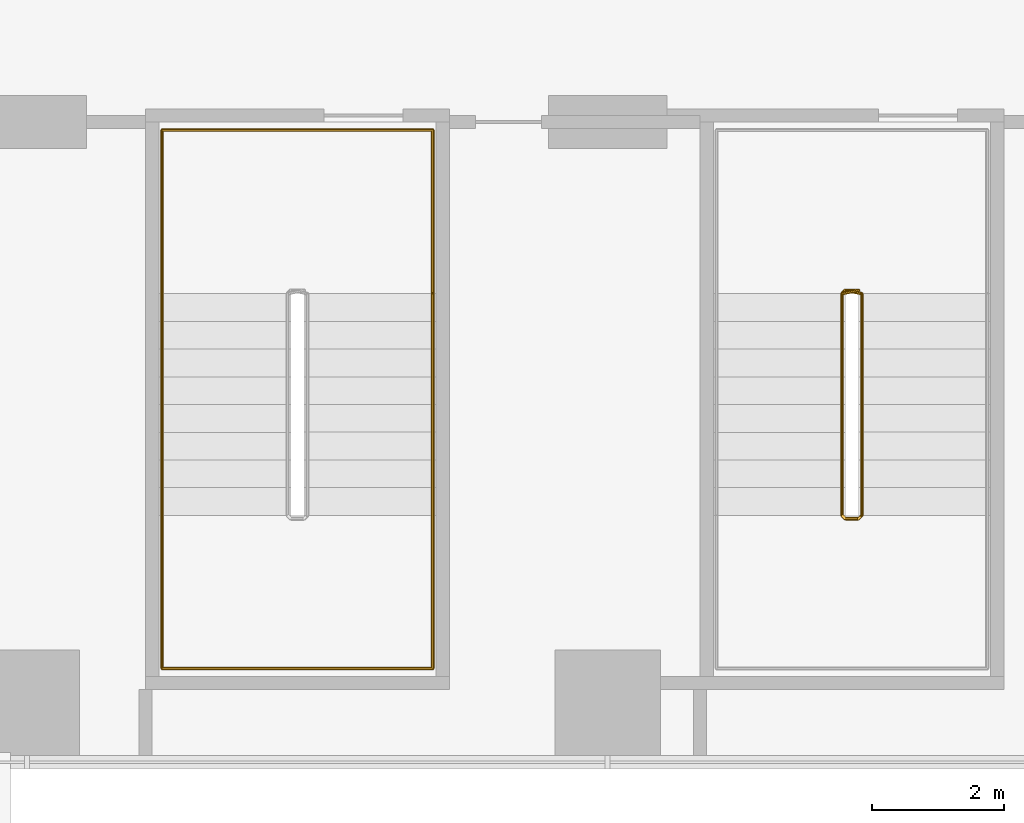
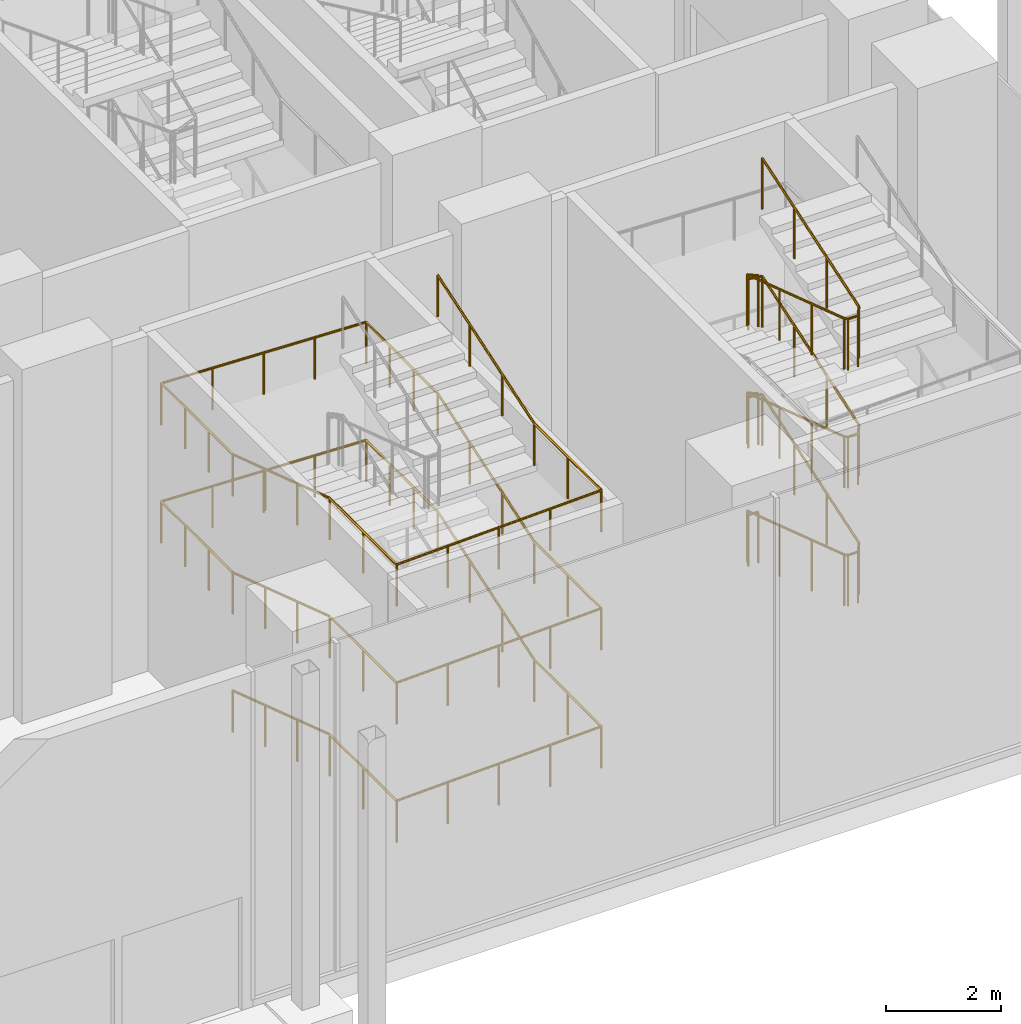
# One storey, part 37 of 41: 2 railings.
"""IFC4 building model written with IfcOpenShell, lengths in metres."""

from ifc_helpers import new_model, si_unit, direction, frame, origin, origin_2d, place, context, subcontext, project, spatial, circle, extrude, material, type_object, element, save


model = new_model("IFC4")

# Units and contexts
model_context = context("Model", 3, precision=1e-05, world=origin(), true_north=direction((0.0, 1.0)))
body_context = subcontext(model_context, "Body", "Model", "MODEL_VIEW")
ifc_project = project(units=[si_unit("LENGTHUNIT", "METRE"), si_unit("AREAUNIT", "SQUARE_METRE"), si_unit("VOLUMEUNIT", "CUBIC_METRE"), si_unit("PLANEANGLEUNIT", "RADIAN"), si_unit("MASSUNIT", "GRAM", prefix="KILO")], contexts=[model_context])

# Site, building, storey
site_placement = place(None, origin())
site = spatial("IfcSite", under=ifc_project, at=site_placement, CompositionType="ELEMENT")
building_placement = place(site_placement, origin())
building = spatial("IfcBuilding", under=site, at=building_placement, Name="Kemantara Hotel Tower", CompositionType="ELEMENT")
storey_placement = place(building_placement, origin())
storey = spatial("IfcBuildingStorey", under=building, at=storey_placement, Name="L00", CompositionType="ELEMENT", Elevation=0.0)

# Railings
ifc_material = material(Name="Stainless steel balustrade", Category="steel")
railing_type_1 = type_object("IfcRailingType", Name="Stair guard 1100 mm", PredefinedType="GUARDRAIL", material=ifc_material)
railing_1_placement = place(storey_placement, frame((75.25, 7.199951171875, 7.5)))
element("IfcRailing", 1, at=railing_1_placement, inside=storey, type_object=railing_type_1, Name="L00 PS5 stair guard 1", PredefinedType="GUARDRAIL", context=body_context, shape_type="SweptSolid", body=[
    extrude(circle(Radius=0.02392578125, at=origin_2d()), frame((0.0, 0.0, 1.076171875), z_axis=(0.0, -0.949432600572, -0.313970917396), x_axis=(1.0, 0.0, 0.0)), (0.0, 0.0, 1.0), 3.538818359375),
    extrude(circle(Radius=0.02392578125, at=origin_2d()), frame((0.0, -3.35986328125, -0.03515625), z_axis=(-0.321014310373, -0.321014310373, -0.891010451718), x_axis=(0.707106781187, -0.707106781187, 0.0)), (0.0, 0.0, 1.0), 0.156005859375),
    extrude(circle(Radius=0.02392578125, at=origin_2d()), frame((-0.050048828125, -3.409912109375, -0.173828125), z_axis=(-1.0, 0.0, 0.0), x_axis=(0.0, -1.0, 0.0)), (0.0, 0.0, 1.0), 0.199951171875),
    extrude(circle(Radius=0.02392578125, at=origin_2d()), frame((-0.25, -3.409912109375, -0.173828125), z_axis=(-0.707106781187, 0.707106781187, 0.0), x_axis=(-0.707106781187, -0.707106781187, 0.0)), (0.0, 0.0, 1.0), 0.07080078125),
    extrude(circle(Radius=0.02392578125, at=origin_2d()), frame((-0.300048828125, -3.35986328125, -0.173828125), z_axis=(0.0, 0.949432600572, -0.313970917396), x_axis=(-1.0, 0.0, 0.0)), (0.0, 0.0, 1.0), 3.538818359375),
    extrude(circle(Radius=0.02392578125, at=origin_2d()), frame((-0.300048828125, 0.0, -1.28515625), z_axis=(0.861032742868, 0.172374719031, -0.478444951847), x_axis=(-0.196300278283, 0.98054382908, 0.0)), (0.0, 0.0, 1.0), 0.290283203125),
    extrude(circle(Radius=0.02392578125, at=origin_2d()), frame((-0.050048828125, 0.050048828125, -1.423828125), z_axis=(-1.0, 0.0, 0.0), x_axis=(0.0, -1.0, 0.0)), (0.0, 0.0, 1.0), 0.199951171875),
    extrude(circle(Radius=0.02392578125, at=origin_2d()), frame((-0.25, 0.050048828125, -1.423828125), z_axis=(0.98054382908, -0.196300278283, 0.0), x_axis=(0.196300278283, 0.98054382908, 0.0)), (0.0, 0.0, 1.0), 0.2548828125),
    extrude(circle(Radius=0.02392578125, at=origin_2d()), frame((0.0, 0.0, -1.423828125), z_axis=(0.0, -0.949432600572, -0.313970917396), x_axis=(1.0, 0.0, 0.0)), (0.0, 0.0, 1.0), 3.538818359375),
    extrude(circle(Radius=0.02392578125, at=origin_2d()), frame((0.0, -3.35986328125, -2.53515625), z_axis=(-0.321014310373, -0.321014310373, -0.891010451718), x_axis=(0.707106781187, -0.707106781187, 0.0)), (0.0, 0.0, 1.0), 0.156005859375),
    extrude(circle(Radius=0.02392578125, at=origin_2d()), frame((-0.050048828125, -3.409912109375, -2.673828125), z_axis=(-1.0, 0.0, 0.0), x_axis=(0.0, -1.0, 0.0)), (0.0, 0.0, 1.0), 0.199951171875),
    extrude(circle(Radius=0.02392578125, at=origin_2d()), frame((-0.25, -3.409912109375, -2.673828125), z_axis=(-0.707106781187, 0.707106781187, 0.0), x_axis=(-0.707106781187, -0.707106781187, 0.0)), (0.0, 0.0, 1.0), 0.07080078125),
    extrude(circle(Radius=0.02392578125, at=origin_2d()), frame((-0.300048828125, -3.35986328125, -2.673828125), z_axis=(0.0, 0.949432600572, -0.313970917396), x_axis=(-1.0, 0.0, 0.0)), (0.0, 0.0, 1.0), 3.538818359375),
    extrude(circle(Radius=0.02392578125, at=origin_2d()), frame((-0.300048828125, 0.0, -3.78515625), z_axis=(0.861032742868, 0.172374719031, -0.478444951847), x_axis=(-0.196300278283, 0.98054382908, 0.0)), (0.0, 0.0, 1.0), 0.290283203125),
    extrude(circle(Radius=0.02392578125, at=origin_2d()), frame((-0.050048828125, 0.050048828125, -3.923828125), z_axis=(-1.0, 0.0, 0.0), x_axis=(0.0, -1.0, 0.0)), (0.0, 0.0, 1.0), 0.199951171875),
    extrude(circle(Radius=0.02392578125, at=origin_2d()), frame((-0.25, 0.050048828125, -3.923828125), z_axis=(0.98054382908, -0.196300278283, 0.0), x_axis=(0.196300278283, 0.98054382908, 0.0)), (0.0, 0.0, 1.0), 0.2548828125),
    extrude(circle(Radius=0.02392578125, at=origin_2d()), frame((0.0, 0.0, -3.923828125), z_axis=(0.0, -0.949432600572, -0.313970917396), x_axis=(1.0, 0.0, 0.0)), (0.0, 0.0, 1.0), 3.538818359375),
    extrude(circle(Radius=0.02392578125, at=origin_2d()), frame((0.0, -3.35986328125, -5.03515625), z_axis=(-0.321014310373, -0.321014310373, -0.891010451718), x_axis=(0.707106781187, -0.707106781187, 0.0)), (0.0, 0.0, 1.0), 0.156005859375),
    extrude(circle(Radius=0.02392578125, at=origin_2d()), frame((-0.050048828125, -3.409912109375, -5.173828125), z_axis=(-1.0, 0.0, 0.0), x_axis=(0.0, -1.0, 0.0)), (0.0, 0.0, 1.0), 0.199951171875),
    extrude(circle(Radius=0.02392578125, at=origin_2d()), frame((-0.25, -3.409912109375, -5.173828125), z_axis=(-0.707106781187, 0.707106781187, 0.0), x_axis=(-0.707106781187, -0.707106781187, 0.0)), (0.0, 0.0, 1.0), 0.07080078125),
    extrude(circle(Radius=0.02392578125, at=origin_2d()), frame((-0.300048828125, -3.35986328125, -5.173828125), z_axis=(0.0, 0.949432600572, -0.313970917396), x_axis=(-1.0, 0.0, 0.0)), (0.0, 0.0, 1.0), 3.538818359375),
    extrude(circle(Radius=0.02392578125, at=origin_2d()), frame((-0.300048828125, 0.0, -6.28515625), z_axis=(0.321014310373, 0.321014310373, -0.891010451718), x_axis=(-0.707106781187, 0.707106781187, 0.0)), (0.0, 0.0, 1.0), 0.156005859375),
    extrude(circle(Radius=0.02392578125, at=origin_2d()), frame((-0.25, 0.050048828125, -6.423828125), z_axis=(1.0, 0.0, 0.0), x_axis=(0.0, 1.0, 0.0)), (0.0, 0.0, 1.0), 0.199951171875),
    extrude(circle(Radius=0.02099609375, at=origin_2d()), origin(), (0.0, 0.0, 1.0), 1.052001953125),
    extrude(circle(Radius=0.02099609375, at=origin_2d()), frame((0.0, -1.119873046875, -0.370361328125)), (0.0, 0.0, 1.0), 1.052001953125),
    extrude(circle(Radius=0.02099609375, at=origin_2d()), frame((0.0, -2.239990234375, -0.74072265625)), (0.0, 0.0, 1.0), 1.052001953125),
    extrude(circle(Radius=0.02099609375, at=origin_2d()), frame((0.0, -3.35986328125, -1.111083984375)), (0.0, 0.0, 1.0), 1.052001953125),
    extrude(circle(Radius=0.02099609375, at=origin_2d()), frame((-0.050048828125, -3.409912109375, -1.25)), (0.0, 0.0, 1.0), 1.052001953125),
    extrude(circle(Radius=0.02099609375, at=origin_2d()), frame((-0.25, -3.409912109375, -1.25)), (0.0, 0.0, 1.0), 1.052001953125),
    extrude(circle(Radius=0.02099609375, at=origin_2d()), frame((-0.300048828125, -3.35986328125, -1.25)), (0.0, 0.0, 1.0), 1.052001953125),
    extrude(circle(Radius=0.02099609375, at=origin_2d()), frame((-0.300048828125, -2.239990234375, -1.620361328125)), (0.0, 0.0, 1.0), 1.052001953125),
    extrude(circle(Radius=0.02099609375, at=origin_2d()), frame((-0.300048828125, -1.119873046875, -1.99072265625)), (0.0, 0.0, 1.0), 1.052001953125),
    extrude(circle(Radius=0.02099609375, at=origin_2d()), frame((-0.300048828125, 0.0, -2.361083984375)), (0.0, 0.0, 1.0), 1.052001953125),
    extrude(circle(Radius=0.02099609375, at=origin_2d()), frame((-0.050048828125, 0.050048828125, -2.5)), (0.0, 0.0, 1.0), 1.052001953125),
    extrude(circle(Radius=0.02099609375, at=origin_2d()), frame((-0.25, 0.050048828125, -2.5)), (0.0, 0.0, 1.0), 1.052001953125),
    extrude(circle(Radius=0.02099609375, at=origin_2d()), frame((0.0, 0.0, -2.5)), (0.0, 0.0, 1.0), 1.052001953125),
    extrude(circle(Radius=0.02099609375, at=origin_2d()), frame((0.0, -1.119873046875, -2.870361328125)), (0.0, 0.0, 1.0), 1.052001953125),
    extrude(circle(Radius=0.02099609375, at=origin_2d()), frame((0.0, -2.239990234375, -3.24072265625)), (0.0, 0.0, 1.0), 1.052001953125),
    extrude(circle(Radius=0.02099609375, at=origin_2d()), frame((0.0, -3.35986328125, -3.611083984375)), (0.0, 0.0, 1.0), 1.052001953125),
    extrude(circle(Radius=0.02099609375, at=origin_2d()), frame((-0.050048828125, -3.409912109375, -3.75)), (0.0, 0.0, 1.0), 1.052001953125),
    extrude(circle(Radius=0.02099609375, at=origin_2d()), frame((-0.25, -3.409912109375, -3.75)), (0.0, 0.0, 1.0), 1.052001953125),
    extrude(circle(Radius=0.02099609375, at=origin_2d()), frame((-0.300048828125, -3.35986328125, -3.75)), (0.0, 0.0, 1.0), 1.052001953125),
    extrude(circle(Radius=0.02099609375, at=origin_2d()), frame((-0.300048828125, -2.239990234375, -4.120361328125)), (0.0, 0.0, 1.0), 1.052001953125),
    extrude(circle(Radius=0.02099609375, at=origin_2d()), frame((-0.300048828125, -1.119873046875, -4.49072265625)), (0.0, 0.0, 1.0), 1.052001953125),
    extrude(circle(Radius=0.02099609375, at=origin_2d()), frame((-0.300048828125, 0.0, -4.861083984375)), (0.0, 0.0, 1.0), 1.052001953125),
    extrude(circle(Radius=0.02099609375, at=origin_2d()), frame((-0.050048828125, 0.050048828125, -5.0)), (0.0, 0.0, 1.0), 1.052001953125),
    extrude(circle(Radius=0.02099609375, at=origin_2d()), frame((-0.25, 0.050048828125, -5.0)), (0.0, 0.0, 1.0), 1.052001953125),
    extrude(circle(Radius=0.02099609375, at=origin_2d()), frame((0.0, 0.0, -5.0)), (0.0, 0.0, 1.0), 1.052001953125),
    extrude(circle(Radius=0.02099609375, at=origin_2d()), frame((0.0, -1.119873046875, -5.370361328125)), (0.0, 0.0, 1.0), 1.052001953125),
    extrude(circle(Radius=0.02099609375, at=origin_2d()), frame((0.0, -2.239990234375, -5.74072265625)), (0.0, 0.0, 1.0), 1.052001953125),
    extrude(circle(Radius=0.02099609375, at=origin_2d()), frame((0.0, -3.35986328125, -6.111083984375)), (0.0, 0.0, 1.0), 1.052001953125),
    extrude(circle(Radius=0.02099609375, at=origin_2d()), frame((-0.050048828125, -3.409912109375, -6.25)), (0.0, 0.0, 1.0), 1.052001953125),
    extrude(circle(Radius=0.02099609375, at=origin_2d()), frame((-0.25, -3.409912109375, -6.25)), (0.0, 0.0, 1.0), 1.052001953125),
    extrude(circle(Radius=0.02099609375, at=origin_2d()), frame((-0.300048828125, -3.35986328125, -6.25)), (0.0, 0.0, 1.0), 1.052001953125),
    extrude(circle(Radius=0.02099609375, at=origin_2d()), frame((-0.300048828125, -2.239990234375, -6.620361328125)), (0.0, 0.0, 1.0), 1.052001953125),
    extrude(circle(Radius=0.02099609375, at=origin_2d()), frame((-0.300048828125, -1.119873046875, -6.99072265625)), (0.0, 0.0, 1.0), 1.052001953125),
    extrude(circle(Radius=0.02099609375, at=origin_2d()), frame((-0.300048828125, 0.0, -7.361083984375)), (0.0, 0.0, 1.0), 1.052001953125),
    extrude(circle(Radius=0.02099609375, at=origin_2d()), frame((-0.25, 0.050048828125, -7.5)), (0.0, 0.0, 1.0), 1.052001953125),
    extrude(circle(Radius=0.02099609375, at=origin_2d()), frame((-0.050048828125, 0.050048828125, -7.5)), (0.0, 0.0, 1.0), 1.052001953125),
])
railing_type_2 = type_object("IfcRailingType", Name="Stair handrail 900 mm", PredefinedType="HANDRAIL", material=ifc_material)
railing_2_placement = place(storey_placement, frame((64.64990234375, 7.199951171875, 0.138916015625)))
element("IfcRailing", 2, at=railing_2_placement, inside=storey, type_object=railing_type_2, Name="L00 PS4 stair handrail 1", PredefinedType="HANDRAIL", context=body_context, shape_type="SweptSolid", body=[
    extrude(circle(Radius=0.02392578125, at=origin_2d()), frame((0.0, 0.0, 0.8759765625), z_axis=(0.0, -0.949432600572, 0.313970917396), x_axis=(1.0, 0.0, 0.0)), (0.0, 0.0, 1.0), 3.538818359375),
    extrude(circle(Radius=0.02392578125, at=origin_2d()), frame((0.0, -3.35986328125, 1.98681640625), z_axis=(0.0, -1.0, 0.0), x_axis=(1.0, 0.0, 0.0)), (0.0, 0.0, 1.0), 2.320068359375),
    extrude(circle(Radius=0.02392578125, at=origin_2d()), frame((0.0, -5.679931640625, 1.98681640625), z_axis=(0.999426527587, 0.0, 0.033861718125), x_axis=(0.0, 1.0, 0.0)), (0.0, 0.0, 1.0), 4.1025390625),
    extrude(circle(Radius=0.02392578125, at=origin_2d()), frame((4.10009765625, -5.679931640625, 2.1259765625), z_axis=(0.0, 1.0, 0.0), x_axis=(-1.0, 0.0, 0.0)), (0.0, 0.0, 1.0), 2.320068359375),
    extrude(circle(Radius=0.02392578125, at=origin_2d()), frame((4.10009765625, -3.35986328125, 2.1259765625), z_axis=(0.0, 0.949432600572, 0.313970917396), x_axis=(-1.0, 0.0, 0.0)), (0.0, 0.0, 1.0), 3.538818359375),
    extrude(circle(Radius=0.02392578125, at=origin_2d()), frame((4.10009765625, 0.0, 3.23681640625), z_axis=(0.0, 1.0, 0.0), x_axis=(-1.0, 0.0, 0.0)), (0.0, 0.0, 1.0), 2.47998046875),
    extrude(circle(Radius=0.02392578125, at=origin_2d()), frame((4.10009765625, 2.47998046875, 3.23681640625), z_axis=(-0.999426527587, 0.0, 0.033861718125), x_axis=(0.0, -1.0, 0.0)), (0.0, 0.0, 1.0), 4.1025390625),
    extrude(circle(Radius=0.02392578125, at=origin_2d()), frame((0.0, 2.47998046875, 3.3759765625), z_axis=(0.0, -1.0, 0.0), x_axis=(1.0, 0.0, 0.0)), (0.0, 0.0, 1.0), 2.47998046875),
    extrude(circle(Radius=0.02392578125, at=origin_2d()), frame((0.0, 0.0, 3.3759765625), z_axis=(0.0, -0.949432600572, 0.313970917396), x_axis=(1.0, 0.0, 0.0)), (0.0, 0.0, 1.0), 3.538818359375),
    extrude(circle(Radius=0.02392578125, at=origin_2d()), frame((0.0, -3.35986328125, 4.48681640625), z_axis=(0.0, -1.0, 0.0), x_axis=(1.0, 0.0, 0.0)), (0.0, 0.0, 1.0), 2.320068359375),
    extrude(circle(Radius=0.02392578125, at=origin_2d()), frame((0.0, -5.679931640625, 4.48681640625), z_axis=(0.999426527587, 0.0, 0.033861718125), x_axis=(0.0, 1.0, 0.0)), (0.0, 0.0, 1.0), 4.1025390625),
    extrude(circle(Radius=0.02392578125, at=origin_2d()), frame((4.10009765625, -5.679931640625, 4.6259765625), z_axis=(0.0, 1.0, 0.0), x_axis=(-1.0, 0.0, 0.0)), (0.0, 0.0, 1.0), 2.320068359375),
    extrude(circle(Radius=0.02392578125, at=origin_2d()), frame((4.10009765625, -3.35986328125, 4.6259765625), z_axis=(0.0, 0.949432600572, 0.313970917396), x_axis=(-1.0, 0.0, 0.0)), (0.0, 0.0, 1.0), 3.538818359375),
    extrude(circle(Radius=0.02392578125, at=origin_2d()), frame((4.10009765625, 0.0, 5.73681640625), z_axis=(0.0, 1.0, 0.0), x_axis=(-1.0, 0.0, 0.0)), (0.0, 0.0, 1.0), 2.47998046875),
    extrude(circle(Radius=0.02392578125, at=origin_2d()), frame((4.10009765625, 2.47998046875, 5.73681640625), z_axis=(-0.999426527587, 0.0, 0.033861718125), x_axis=(0.0, -1.0, 0.0)), (0.0, 0.0, 1.0), 4.1025390625),
    extrude(circle(Radius=0.02392578125, at=origin_2d()), frame((0.0, 2.47998046875, 5.8759765625), z_axis=(0.0, -1.0, 0.0), x_axis=(1.0, 0.0, 0.0)), (0.0, 0.0, 1.0), 2.47998046875),
    extrude(circle(Radius=0.02392578125, at=origin_2d()), frame((0.0, 0.0, 5.8759765625), z_axis=(0.0, -0.949432600572, 0.313970917396), x_axis=(1.0, 0.0, 0.0)), (0.0, 0.0, 1.0), 3.538818359375),
    extrude(circle(Radius=0.02392578125, at=origin_2d()), frame((0.0, -3.35986328125, 6.98681640625), z_axis=(0.0, -1.0, 0.0), x_axis=(1.0, 0.0, 0.0)), (0.0, 0.0, 1.0), 2.320068359375),
    extrude(circle(Radius=0.02392578125, at=origin_2d()), frame((0.0, -5.679931640625, 6.98681640625), z_axis=(0.999426527587, 0.0, 0.033861718125), x_axis=(0.0, 1.0, 0.0)), (0.0, 0.0, 1.0), 4.1025390625),
    extrude(circle(Radius=0.02392578125, at=origin_2d()), frame((4.10009765625, -5.679931640625, 7.1259765625), z_axis=(0.0, 1.0, 0.0), x_axis=(-1.0, 0.0, 0.0)), (0.0, 0.0, 1.0), 2.320068359375),
    extrude(circle(Radius=0.02392578125, at=origin_2d()), frame((4.10009765625, -3.35986328125, 7.1259765625), z_axis=(0.0, 0.949432600572, 0.313970917396), x_axis=(-1.0, 0.0, 0.0)), (0.0, 0.0, 1.0), 3.538818359375),
    extrude(circle(Radius=0.02099609375, at=origin_2d()), origin(), (0.0, 0.0, 1.0), 0.851806640625),
    extrude(circle(Radius=0.02099609375, at=origin_2d()), frame((0.0, -1.119873046875, 0.370361328125)), (0.0, 0.0, 1.0), 0.851806640625),
    extrude(circle(Radius=0.02099609375, at=origin_2d()), frame((0.0, -2.239990234375, 0.74072265625)), (0.0, 0.0, 1.0), 0.851806640625),
    extrude(circle(Radius=0.02099609375, at=origin_2d()), frame((0.0, -3.35986328125, 1.111083984375)), (0.0, 0.0, 1.0), 0.851806640625),
    extrude(circle(Radius=0.02099609375, at=origin_2d()), frame((0.0, -4.52001953125, 1.111083984375)), (0.0, 0.0, 1.0), 0.851806640625),
    extrude(circle(Radius=0.02099609375, at=origin_2d()), frame((0.0, -5.679931640625, 1.111083984375)), (0.0, 0.0, 1.0), 0.851806640625),
    extrude(circle(Radius=0.02099609375, at=origin_2d()), frame((1.02490234375, -5.679931640625, 1.145751953125)), (0.0, 0.0, 1.0), 0.851806640625),
    extrude(circle(Radius=0.02099609375, at=origin_2d()), frame((2.050048828125, -5.679931640625, 1.1806640625)), (0.0, 0.0, 1.0), 0.851806640625),
    extrude(circle(Radius=0.02099609375, at=origin_2d()), frame((3.0751953125, -5.679931640625, 1.21533203125)), (0.0, 0.0, 1.0), 0.851806640625),
    extrude(circle(Radius=0.02099609375, at=origin_2d()), frame((4.10009765625, -5.679931640625, 1.25)), (0.0, 0.0, 1.0), 0.851806640625),
    extrude(circle(Radius=0.02099609375, at=origin_2d()), frame((4.10009765625, -4.52001953125, 1.25)), (0.0, 0.0, 1.0), 0.851806640625),
    extrude(circle(Radius=0.02099609375, at=origin_2d()), frame((4.10009765625, -3.35986328125, 1.25)), (0.0, 0.0, 1.0), 0.851806640625),
    extrude(circle(Radius=0.02099609375, at=origin_2d()), frame((4.10009765625, -2.239990234375, 1.620361328125)), (0.0, 0.0, 1.0), 0.851806640625),
    extrude(circle(Radius=0.02099609375, at=origin_2d()), frame((4.10009765625, -1.119873046875, 1.99072265625)), (0.0, 0.0, 1.0), 0.851806640625),
    extrude(circle(Radius=0.02099609375, at=origin_2d()), frame((4.10009765625, 0.0, 2.361083984375)), (0.0, 0.0, 1.0), 0.851806640625),
    extrude(circle(Radius=0.02099609375, at=origin_2d()), frame((4.10009765625, 0.82666015625, 2.361083984375)), (0.0, 0.0, 1.0), 0.851806640625),
    extrude(circle(Radius=0.02099609375, at=origin_2d()), frame((4.10009765625, 1.6533203125, 2.361083984375)), (0.0, 0.0, 1.0), 0.851806640625),
    extrude(circle(Radius=0.02099609375, at=origin_2d()), frame((4.10009765625, 2.47998046875, 2.361083984375)), (0.0, 0.0, 1.0), 0.851806640625),
    extrude(circle(Radius=0.02099609375, at=origin_2d()), frame((3.0751953125, 2.47998046875, 2.395751953125)), (0.0, 0.0, 1.0), 0.851806640625),
    extrude(circle(Radius=0.02099609375, at=origin_2d()), frame((2.050048828125, 2.47998046875, 2.4306640625)), (0.0, 0.0, 1.0), 0.851806640625),
    extrude(circle(Radius=0.02099609375, at=origin_2d()), frame((1.02490234375, 2.47998046875, 2.46533203125)), (0.0, 0.0, 1.0), 0.851806640625),
    extrude(circle(Radius=0.02099609375, at=origin_2d()), frame((0.0, 2.47998046875, 2.5)), (0.0, 0.0, 1.0), 0.851806640625),
    extrude(circle(Radius=0.02099609375, at=origin_2d()), frame((0.0, 1.6533203125, 2.5)), (0.0, 0.0, 1.0), 0.851806640625),
    extrude(circle(Radius=0.02099609375, at=origin_2d()), frame((0.0, 0.82666015625, 2.5)), (0.0, 0.0, 1.0), 0.851806640625),
    extrude(circle(Radius=0.02099609375, at=origin_2d()), frame((0.0, 0.0, 2.5)), (0.0, 0.0, 1.0), 0.851806640625),
    extrude(circle(Radius=0.02099609375, at=origin_2d()), frame((0.0, -1.119873046875, 2.870361328125)), (0.0, 0.0, 1.0), 0.851806640625),
    extrude(circle(Radius=0.02099609375, at=origin_2d()), frame((0.0, -2.239990234375, 3.24072265625)), (0.0, 0.0, 1.0), 0.851806640625),
    extrude(circle(Radius=0.02099609375, at=origin_2d()), frame((0.0, -3.35986328125, 3.611083984375)), (0.0, 0.0, 1.0), 0.851806640625),
    extrude(circle(Radius=0.02099609375, at=origin_2d()), frame((0.0, -4.52001953125, 3.611083984375)), (0.0, 0.0, 1.0), 0.851806640625),
    extrude(circle(Radius=0.02099609375, at=origin_2d()), frame((0.0, -5.679931640625, 3.611083984375)), (0.0, 0.0, 1.0), 0.851806640625),
    extrude(circle(Radius=0.02099609375, at=origin_2d()), frame((1.02490234375, -5.679931640625, 3.645751953125)), (0.0, 0.0, 1.0), 0.851806640625),
    extrude(circle(Radius=0.02099609375, at=origin_2d()), frame((2.050048828125, -5.679931640625, 3.6806640625)), (0.0, 0.0, 1.0), 0.851806640625),
    extrude(circle(Radius=0.02099609375, at=origin_2d()), frame((3.0751953125, -5.679931640625, 3.71533203125)), (0.0, 0.0, 1.0), 0.851806640625),
    extrude(circle(Radius=0.02099609375, at=origin_2d()), frame((4.10009765625, -5.679931640625, 3.75)), (0.0, 0.0, 1.0), 0.851806640625),
    extrude(circle(Radius=0.02099609375, at=origin_2d()), frame((4.10009765625, -4.52001953125, 3.75)), (0.0, 0.0, 1.0), 0.851806640625),
    extrude(circle(Radius=0.02099609375, at=origin_2d()), frame((4.10009765625, -3.35986328125, 3.75)), (0.0, 0.0, 1.0), 0.851806640625),
    extrude(circle(Radius=0.02099609375, at=origin_2d()), frame((4.10009765625, -2.239990234375, 4.120361328125)), (0.0, 0.0, 1.0), 0.851806640625),
    extrude(circle(Radius=0.02099609375, at=origin_2d()), frame((4.10009765625, -1.119873046875, 4.49072265625)), (0.0, 0.0, 1.0), 0.851806640625),
    extrude(circle(Radius=0.02099609375, at=origin_2d()), frame((4.10009765625, 0.0, 4.861083984375)), (0.0, 0.0, 1.0), 0.851806640625),
    extrude(circle(Radius=0.02099609375, at=origin_2d()), frame((4.10009765625, 0.82666015625, 4.861083984375)), (0.0, 0.0, 1.0), 0.851806640625),
    extrude(circle(Radius=0.02099609375, at=origin_2d()), frame((4.10009765625, 1.6533203125, 4.861083984375)), (0.0, 0.0, 1.0), 0.851806640625),
    extrude(circle(Radius=0.02099609375, at=origin_2d()), frame((4.10009765625, 2.47998046875, 4.861083984375)), (0.0, 0.0, 1.0), 0.851806640625),
    extrude(circle(Radius=0.02099609375, at=origin_2d()), frame((3.0751953125, 2.47998046875, 4.895751953125)), (0.0, 0.0, 1.0), 0.851806640625),
    extrude(circle(Radius=0.02099609375, at=origin_2d()), frame((2.050048828125, 2.47998046875, 4.9306640625)), (0.0, 0.0, 1.0), 0.851806640625),
    extrude(circle(Radius=0.02099609375, at=origin_2d()), frame((1.02490234375, 2.47998046875, 4.96533203125)), (0.0, 0.0, 1.0), 0.851806640625),
    extrude(circle(Radius=0.02099609375, at=origin_2d()), frame((0.0, 2.47998046875, 5.0)), (0.0, 0.0, 1.0), 0.851806640625),
    extrude(circle(Radius=0.02099609375, at=origin_2d()), frame((0.0, 1.6533203125, 5.0)), (0.0, 0.0, 1.0), 0.851806640625),
    extrude(circle(Radius=0.02099609375, at=origin_2d()), frame((0.0, 0.82666015625, 5.0)), (0.0, 0.0, 1.0), 0.851806640625),
    extrude(circle(Radius=0.02099609375, at=origin_2d()), frame((0.0, 0.0, 5.0)), (0.0, 0.0, 1.0), 0.851806640625),
    extrude(circle(Radius=0.02099609375, at=origin_2d()), frame((0.0, -1.119873046875, 5.370361328125)), (0.0, 0.0, 1.0), 0.851806640625),
    extrude(circle(Radius=0.02099609375, at=origin_2d()), frame((0.0, -2.239990234375, 5.74072265625)), (0.0, 0.0, 1.0), 0.851806640625),
    extrude(circle(Radius=0.02099609375, at=origin_2d()), frame((0.0, -3.35986328125, 6.111083984375)), (0.0, 0.0, 1.0), 0.851806640625),
    extrude(circle(Radius=0.02099609375, at=origin_2d()), frame((0.0, -4.52001953125, 6.111083984375)), (0.0, 0.0, 1.0), 0.851806640625),
    extrude(circle(Radius=0.02099609375, at=origin_2d()), frame((0.0, -5.679931640625, 6.111083984375)), (0.0, 0.0, 1.0), 0.851806640625),
    extrude(circle(Radius=0.02099609375, at=origin_2d()), frame((1.02490234375, -5.679931640625, 6.145751953125)), (0.0, 0.0, 1.0), 0.851806640625),
    extrude(circle(Radius=0.02099609375, at=origin_2d()), frame((2.050048828125, -5.679931640625, 6.1806640625)), (0.0, 0.0, 1.0), 0.851806640625),
    extrude(circle(Radius=0.02099609375, at=origin_2d()), frame((3.0751953125, -5.679931640625, 6.21533203125)), (0.0, 0.0, 1.0), 0.851806640625),
    extrude(circle(Radius=0.02099609375, at=origin_2d()), frame((4.10009765625, -5.679931640625, 6.25)), (0.0, 0.0, 1.0), 0.851806640625),
    extrude(circle(Radius=0.02099609375, at=origin_2d()), frame((4.10009765625, -4.52001953125, 6.25)), (0.0, 0.0, 1.0), 0.851806640625),
    extrude(circle(Radius=0.02099609375, at=origin_2d()), frame((4.10009765625, -3.35986328125, 6.25)), (0.0, 0.0, 1.0), 0.851806640625),
    extrude(circle(Radius=0.02099609375, at=origin_2d()), frame((4.10009765625, -2.239990234375, 6.620361328125)), (0.0, 0.0, 1.0), 0.851806640625),
    extrude(circle(Radius=0.02099609375, at=origin_2d()), frame((4.10009765625, -1.119873046875, 6.99072265625)), (0.0, 0.0, 1.0), 0.851806640625),
    extrude(circle(Radius=0.02099609375, at=origin_2d()), frame((4.10009765625, 0.0, 7.361083984375)), (0.0, 0.0, 1.0), 0.851806640625),
])

save(model, "model.ifc")
